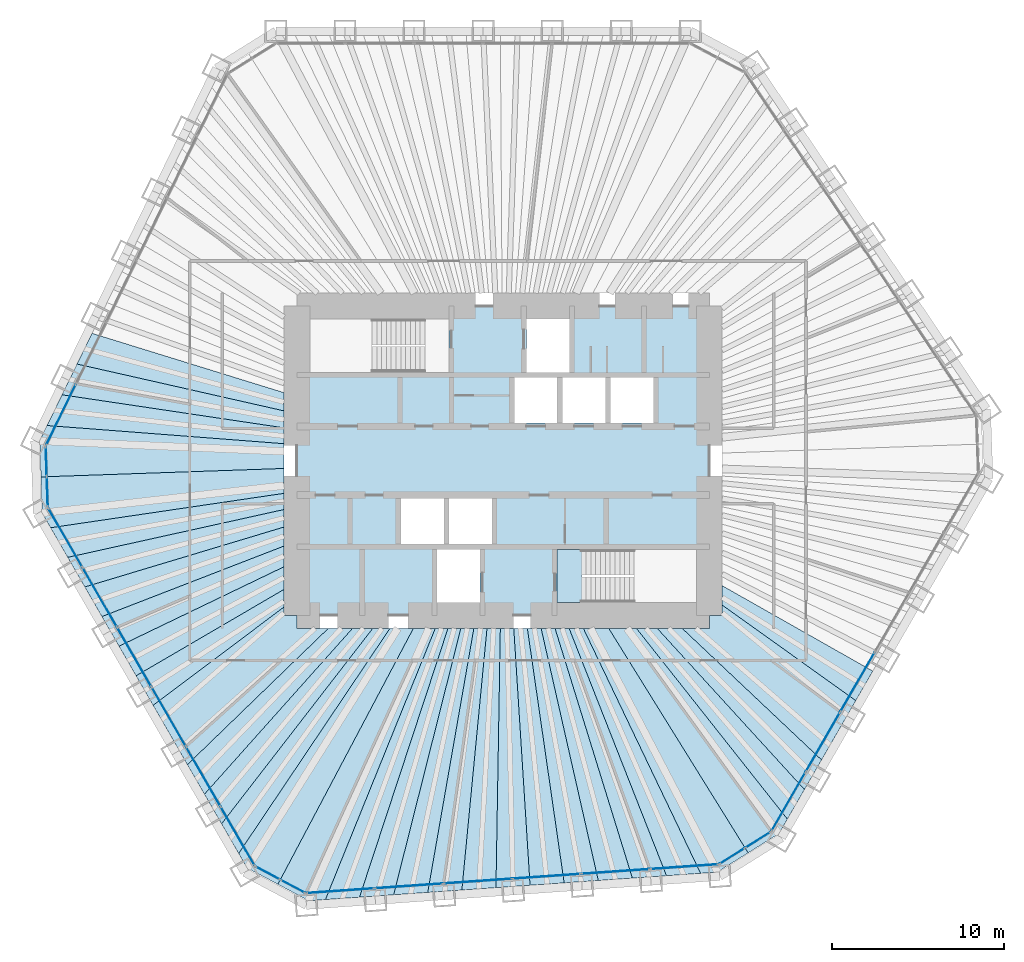
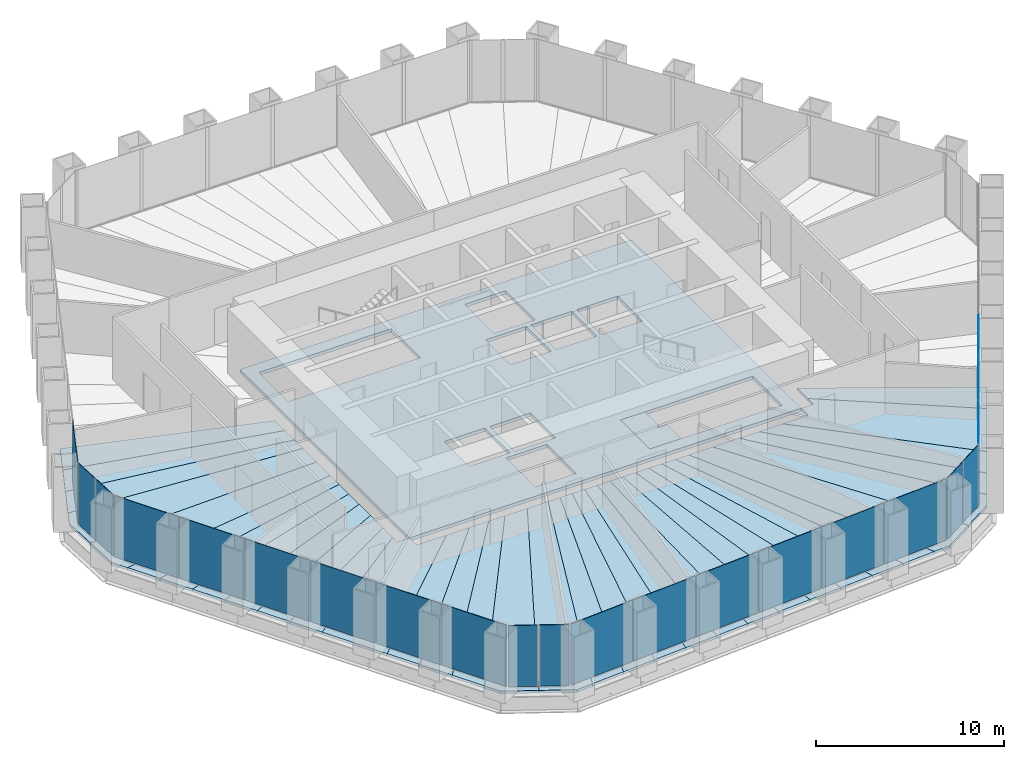
# One storey, part 8 of 13: 36 slabs, 22 plates, 8 elements without a shape of their own.
"""IFC4 building model written with IfcOpenShell, lengths in metres."""

from ifc_helpers import new_model, si_unit, direction, frame, origin, origin_2d, place, context, subcontext, project, spatial, polyline, rectangle, outline, extrude, material, layer, layer_set, type_object, element, aggregate, save


model = new_model("IFC4")

# Units and contexts
model_context = context("Model", 3, precision=1e-05, world=origin(), true_north=direction((0.0, 1.0)))
body_context = subcontext(model_context, "Body", "Model", "MODEL_VIEW")
ifc_project = project(units=[si_unit("LENGTHUNIT", "METRE"), si_unit("AREAUNIT", "SQUARE_METRE"), si_unit("VOLUMEUNIT", "CUBIC_METRE"), si_unit("PLANEANGLEUNIT", "RADIAN"), si_unit("MASSUNIT", "GRAM", prefix="KILO")], contexts=[model_context])

# Site, building, storey
site_placement = place(None, origin())
site = spatial("IfcSite", under=ifc_project, at=site_placement, CompositionType="ELEMENT")
building_placement = place(site_placement, origin())
building = spatial("IfcBuilding", under=site, at=building_placement, Name="Qingtian Harvest Tower", CompositionType="ELEMENT")
storey_placement = place(building_placement, frame((0.0, 0.0, 124.0)))
storey = spatial("IfcBuildingStorey", under=building, at=storey_placement, Name="L25", CompositionType="ELEMENT", Elevation=124.0)

# Slabs
ifc_material_1 = material(Name="Concrete fc' 35 MPa", Category="concrete")
ifc_layer_1 = layer(ifc_material_1, 0.169921875)
ifc_layer_set_1 = layer_set([ifc_layer_1], Name="Composite floor slab FS17 170")
slab_type_1 = type_object("IfcSlabType", Name="Composite floor slab FS17 170", PredefinedType="FLOOR", material=ifc_layer_set_1)
slab_1_placement = place(storey_placement, frame((0.0, 0.0, -0.169921875)))
element("IfcSlab", 1, at=slab_1_placement, inside=storey, type_object=slab_type_1, Name="Floor slab L25 panel D01", PredefinedType="FLOOR", context=body_context, shape_type="SweptSolid", body=[
    extrude(outline(polyline([(-26.8935546875, -0.939208984375), (-12.75, -0.447998046875), (-12.75, -1.89599609375), (-26.333984375, -3.8984375), (-26.819580078125, -3.056884765625), (-26.8935546875, -0.939208984375)])), origin(), (0.0, 0.0, 1.0), 0.169921875),
])
slab_2_placement = place(storey_placement, frame((0.0, 0.0, -0.169921875)))
element("IfcSlab", 2, at=slab_2_placement, inside=storey, type_object=slab_type_1, Name="Floor slab L25 panel D02", PredefinedType="FLOOR", context=body_context, shape_type="SweptSolid", body=[
    extrude(outline(polyline([(-12.75, -2.838134765625), (-25.3388671875, -5.62158203125), (-26.333984375, -3.8984375), (-12.75, -1.89599609375), (-12.75, -2.838134765625)])), origin(), (0.0, 0.0, 1.0), 0.169921875),
])
slab_3_placement = place(storey_placement, frame((0.0, 0.0, -0.169921875)))
element("IfcSlab", 3, at=slab_3_placement, inside=storey, type_object=slab_type_1, Name="Floor slab L25 panel D03", PredefinedType="FLOOR", context=body_context, shape_type="SweptSolid", body=[
    extrude(outline(polyline([(-12.75, -3.857666015625), (-24.343994140625, -7.344970703125), (-25.3388671875, -5.62158203125), (-12.75, -2.838134765625), (-12.75, -3.857666015625)])), origin(), (0.0, 0.0, 1.0), 0.169921875),
])
slab_4_placement = place(storey_placement, frame((0.0, 0.0, -0.169921875)))
element("IfcSlab", 4, at=slab_4_placement, inside=storey, type_object=slab_type_1, Name="Floor slab L25 panel D04", PredefinedType="FLOOR", context=body_context, shape_type="SweptSolid", body=[
    extrude(outline(polyline([(-12.75, -4.9638671875), (-23.34912109375, -9.068115234375), (-24.343994140625, -7.344970703125), (-12.75, -3.857666015625), (-12.75, -4.9638671875)])), origin(), (0.0, 0.0, 1.0), 0.169921875),
])
slab_5_placement = place(storey_placement, frame((0.0, 0.0, -0.169921875)))
element("IfcSlab", 5, at=slab_5_placement, inside=storey, type_object=slab_type_1, Name="Floor slab L25 panel D05", PredefinedType="FLOOR", context=body_context, shape_type="SweptSolid", body=[
    extrude(outline(polyline([(-12.75, -6.1689453125), (-22.354248046875, -10.79150390625), (-23.34912109375, -9.068115234375), (-12.75, -4.9638671875), (-12.75, -6.1689453125)])), origin(), (0.0, 0.0, 1.0), 0.169921875),
])
slab_6_placement = place(storey_placement, frame((0.0, 0.0, -0.169921875)))
element("IfcSlab", 6, at=slab_6_placement, inside=storey, type_object=slab_type_1, Name="Floor slab L25 panel D06", PredefinedType="FLOOR", context=body_context, shape_type="SweptSolid", body=[
    extrude(outline(polyline([(-12.75, -7.486328125), (-21.359130859375, -12.5146484375), (-22.354248046875, -10.79150390625), (-12.75, -6.1689453125), (-12.75, -7.486328125)])), origin(), (0.0, 0.0, 1.0), 0.169921875),
])
slab_7_placement = place(storey_placement, frame((0.0, 0.0, -0.169921875)))
element("IfcSlab", 7, at=slab_7_placement, inside=storey, type_object=slab_type_1, Name="Floor slab L25 panel D07", PredefinedType="FLOOR", context=body_context, shape_type="SweptSolid", body=[
    extrude(outline(polyline([(-12.75, -8.512451171875), (-20.36865234375, -14.23046875), (-21.359130859375, -12.5146484375), (-12.75, -7.486328125), (-12.75, -8.512451171875)])), origin(), (0.0, 0.0, 1.0), 0.169921875),
])
slab_8_placement = place(storey_placement, frame((0.0, 0.0, -0.169921875)))
element("IfcSlab", 8, at=slab_8_placement, inside=storey, type_object=slab_type_1, Name="Floor slab L25 panel D09", PredefinedType="FLOOR", context=body_context, shape_type="SweptSolid", body=[
    extrude(outline(polyline([(-18.375, -17.683837890625), (-20.36865234375, -14.23046875), (-12.75, -8.512451171875), (-12.75, -9.0), (-12.0, -9.0), (-12.0, -9.75), (-10.168212890625, -9.75), (-18.375, -17.683837890625)])), origin(), (0.0, 0.0, 1.0), 0.169921875),
])
slab_9_placement = place(storey_placement, frame((0.0, 0.0, -0.169921875)))
element("IfcSlab", 9, at=slab_9_placement, inside=storey, type_object=slab_type_1, Name="Floor slab L25 panel D10", PredefinedType="FLOOR", context=body_context, shape_type="SweptSolid", body=[
    extrude(outline(polyline([(-8.759521484375, -9.75), (-17.3798828125, -19.4072265625), (-18.375, -17.683837890625), (-10.168212890625, -9.75), (-8.759521484375, -9.75)])), origin(), (0.0, 0.0, 1.0), 0.169921875),
])
slab_10_placement = place(storey_placement, frame((0.0, 0.0, -0.169921875)))
element("IfcSlab", 10, at=slab_10_placement, inside=storey, type_object=slab_type_1, Name="Floor slab L25 panel D11", PredefinedType="FLOOR", context=body_context, shape_type="SweptSolid", body=[
    extrude(outline(polyline([(-7.58203125, -9.75), (-16.385009765625, -21.13037109375), (-17.3798828125, -19.4072265625), (-8.759521484375, -9.75), (-7.58203125, -9.75)])), origin(), (0.0, 0.0, 1.0), 0.169921875),
])
slab_11_placement = place(storey_placement, frame((0.0, 0.0, -0.169921875)))
element("IfcSlab", 11, at=slab_11_placement, inside=storey, type_object=slab_type_1, Name="Floor slab L25 panel D12", PredefinedType="FLOOR", context=body_context, shape_type="SweptSolid", body=[
    extrude(outline(polyline([(-6.5830078125, -9.75), (-15.389892578125, -22.853759765625), (-16.385009765625, -21.13037109375), (-7.58203125, -9.75), (-6.5830078125, -9.75)])), origin(), (0.0, 0.0, 1.0), 0.169921875),
])
slab_12_placement = place(storey_placement, frame((0.0, 0.0, -0.169921875)))
element("IfcSlab", 12, at=slab_12_placement, inside=storey, type_object=slab_type_1, Name="Floor slab L25 panel D13", PredefinedType="FLOOR", context=body_context, shape_type="SweptSolid", body=[
    extrude(outline(polyline([(-6.5830078125, -9.75), (-5.21875, -9.75), (-13.107421875, -24.650634765625), (-14.904052734375, -23.6953125), (-15.389892578125, -22.853759765625), (-6.5830078125, -9.75)])), origin(), (0.0, 0.0, 1.0), 0.169921875),
])
slab_13_placement = place(storey_placement, frame((0.0, 0.0, -0.169921875)))
element("IfcSlab", 13, at=slab_13_placement, inside=storey, type_object=slab_type_1, Name="Floor slab L25 panel D14", PredefinedType="FLOOR", context=body_context, shape_type="SweptSolid", body=[
    extrude(outline(polyline([(-5.21875, -9.75), (-3.947021484375, -9.75), (-10.3408203125, -25.53857421875), (-11.31005859375, -25.606201171875), (-13.107421875, -24.650634765625), (-5.21875, -9.75)])), origin(), (0.0, 0.0, 1.0), 0.169921875),
])
slab_14_placement = place(storey_placement, frame((0.0, 0.0, -0.169921875)))
element("IfcSlab", 14, at=slab_14_placement, inside=storey, type_object=slab_type_1, Name="Floor slab L25 panel D15", PredefinedType="FLOOR", context=body_context, shape_type="SweptSolid", body=[
    extrude(outline(polyline([(-3.20654296875, -9.75), (-8.35595703125, -25.399658203125), (-10.3408203125, -25.53857421875), (-3.947021484375, -9.75), (-3.20654296875, -9.75)])), origin(), (0.0, 0.0, 1.0), 0.169921875),
])
slab_15_placement = place(storey_placement, frame((0.0, 0.0, -0.169921875)))
element("IfcSlab", 15, at=slab_15_placement, inside=storey, type_object=slab_type_1, Name="Floor slab L25 panel D16", PredefinedType="FLOOR", context=body_context, shape_type="SweptSolid", body=[
    extrude(outline(polyline([(-2.4580078125, -9.75), (-6.370849609375, -25.260986328125), (-8.35595703125, -25.399658203125), (-3.20654296875, -9.75), (-2.4580078125, -9.75)])), origin(), (0.0, 0.0, 1.0), 0.169921875),
])
slab_16_placement = place(storey_placement, frame((0.0, 0.0, -0.169921875)))
element("IfcSlab", 16, at=slab_16_placement, inside=storey, type_object=slab_type_1, Name="Floor slab L25 panel D17", PredefinedType="FLOOR", context=body_context, shape_type="SweptSolid", body=[
    extrude(outline(polyline([(-1.701171875, -9.75), (-4.385986328125, -25.1220703125), (-6.370849609375, -25.260986328125), (-2.4580078125, -9.75), (-1.701171875, -9.75)])), origin(), (0.0, 0.0, 1.0), 0.169921875),
])
slab_17_placement = place(storey_placement, frame((0.0, 0.0, -0.169921875)))
element("IfcSlab", 17, at=slab_17_placement, inside=storey, type_object=slab_type_1, Name="Floor slab L25 panel D18", PredefinedType="FLOOR", context=body_context, shape_type="SweptSolid", body=[
    extrude(outline(polyline([(-0.93603515625, -9.75), (-2.40087890625, -24.9833984375), (-4.385986328125, -25.1220703125), (-1.701171875, -9.75), (-0.93603515625, -9.75)])), origin(), (0.0, 0.0, 1.0), 0.169921875),
])
slab_18_placement = place(storey_placement, frame((0.0, 0.0, -0.169921875)))
element("IfcSlab", 18, at=slab_18_placement, inside=storey, type_object=slab_type_1, Name="Floor slab L25 panel D19", PredefinedType="FLOOR", context=body_context, shape_type="SweptSolid", body=[
    extrude(outline(polyline([(-0.162109375, -9.75), (-0.416015625, -24.844482421875), (-2.40087890625, -24.9833984375), (-0.93603515625, -9.75), (-0.162109375, -9.75)])), origin(), (0.0, 0.0, 1.0), 0.169921875),
])
slab_19_placement = place(storey_placement, frame((0.0, 0.0, -0.169921875)))
element("IfcSlab", 19, at=slab_19_placement, inside=storey, type_object=slab_type_1, Name="Floor slab L25 panel D20", PredefinedType="FLOOR", context=body_context, shape_type="SweptSolid", body=[
    extrude(outline(polyline([(0.620361328125, -9.75), (1.569091796875, -24.705810546875), (-0.416015625, -24.844482421875), (-0.162109375, -9.75), (0.620361328125, -9.75)])), origin(), (0.0, 0.0, 1.0), 0.169921875),
])
slab_20_placement = place(storey_placement, frame((0.0, 0.0, -0.169921875)))
element("IfcSlab", 20, at=slab_20_placement, inside=storey, type_object=slab_type_1, Name="Floor slab L25 panel D21", PredefinedType="FLOOR", context=body_context, shape_type="SweptSolid", body=[
    extrude(outline(polyline([(1.41162109375, -9.75), (3.553955078125, -24.56689453125), (1.569091796875, -24.705810546875), (0.620361328125, -9.75), (1.41162109375, -9.75)])), origin(), (0.0, 0.0, 1.0), 0.169921875),
])
slab_21_placement = place(storey_placement, frame((0.0, 0.0, -0.169921875)))
element("IfcSlab", 21, at=slab_21_placement, inside=storey, type_object=slab_type_1, Name="Floor slab L25 panel D22", PredefinedType="FLOOR", context=body_context, shape_type="SweptSolid", body=[
    extrude(outline(polyline([(2.2119140625, -9.75), (5.5390625, -24.42822265625), (3.553955078125, -24.56689453125), (1.41162109375, -9.75), (2.2119140625, -9.75)])), origin(), (0.0, 0.0, 1.0), 0.169921875),
])
slab_22_placement = place(storey_placement, frame((0.0, 0.0, -0.169921875)))
element("IfcSlab", 22, at=slab_22_placement, inside=storey, type_object=slab_type_1, Name="Floor slab L25 panel D23", PredefinedType="FLOOR", context=body_context, shape_type="SweptSolid", body=[
    extrude(outline(polyline([(3.021484375, -9.75), (7.524169921875, -24.289306640625), (5.5390625, -24.42822265625), (2.2119140625, -9.75), (3.021484375, -9.75)])), origin(), (0.0, 0.0, 1.0), 0.169921875),
])
slab_23_placement = place(storey_placement, frame((0.0, 0.0, -0.169921875)))
element("IfcSlab", 23, at=slab_23_placement, inside=storey, type_object=slab_type_1, Name="Floor slab L25 panel D24", PredefinedType="FLOOR", context=body_context, shape_type="SweptSolid", body=[
    extrude(outline(polyline([(3.840087890625, -9.75), (9.509033203125, -24.150390625), (7.524169921875, -24.289306640625), (3.021484375, -9.75), (3.840087890625, -9.75)])), origin(), (0.0, 0.0, 1.0), 0.169921875),
])
slab_24_placement = place(storey_placement, frame((0.0, 0.0, -0.169921875)))
element("IfcSlab", 24, at=slab_24_placement, inside=storey, type_object=slab_type_1, Name="Floor slab L25 panel D25", PredefinedType="FLOOR", context=body_context, shape_type="SweptSolid", body=[
    extrude(outline(polyline([(4.66845703125, -9.75), (11.494140625, -24.01171875), (9.509033203125, -24.150390625), (3.840087890625, -9.75), (4.66845703125, -9.75)])), origin(), (0.0, 0.0, 1.0), 0.169921875),
])
slab_25_placement = place(storey_placement, frame((0.0, 0.0, -0.169921875)))
element("IfcSlab", 25, at=slab_25_placement, inside=storey, type_object=slab_type_1, Name="Floor slab L25 panel D26", PredefinedType="FLOOR", context=body_context, shape_type="SweptSolid", body=[
    extrude(outline(polyline([(4.66845703125, -9.75), (6.14404296875, -9.75), (14.2607421875, -22.820556640625), (12.463134765625, -23.94384765625), (11.494140625, -24.01171875), (4.66845703125, -9.75)])), origin(), (0.0, 0.0, 1.0), 0.169921875),
])
slab_26_placement = place(storey_placement, frame((0.0, 0.0, -0.169921875)))
element("IfcSlab", 26, at=slab_26_placement, inside=storey, type_object=slab_type_1, Name="Floor slab L25 panel D27", PredefinedType="FLOOR", context=body_context, shape_type="SweptSolid", body=[
    extrude(outline(polyline([(6.14404296875, -9.75), (7.756103515625, -9.75), (16.543212890625, -20.8564453125), (16.05712890625, -21.697998046875), (14.2607421875, -22.820556640625), (6.14404296875, -9.75)])), origin(), (0.0, 0.0, 1.0), 0.169921875),
])
slab_27_placement = place(storey_placement, frame((0.0, 0.0, -0.169921875)))
element("IfcSlab", 27, at=slab_27_placement, inside=storey, type_object=slab_type_1, Name="Floor slab L25 panel D28", PredefinedType="FLOOR", context=body_context, shape_type="SweptSolid", body=[
    extrude(outline(polyline([(8.966552734375, -9.75), (17.5380859375, -19.133056640625), (16.543212890625, -20.8564453125), (7.756103515625, -9.75), (8.966552734375, -9.75)])), origin(), (0.0, 0.0, 1.0), 0.169921875),
])
slab_28_placement = place(storey_placement, frame((0.0, 0.0, -0.169921875)))
element("IfcSlab", 28, at=slab_28_placement, inside=storey, type_object=slab_type_1, Name="Floor slab L25 panel D29", PredefinedType="FLOOR", context=body_context, shape_type="SweptSolid", body=[
    extrude(outline(polyline([(10.41796875, -9.75), (18.532958984375, -17.40966796875), (17.5380859375, -19.133056640625), (8.966552734375, -9.75), (10.41796875, -9.75)])), origin(), (0.0, 0.0, 1.0), 0.169921875),
])
slab_29_placement = place(storey_placement, frame((0.0, 0.0, -0.169921875)))
element("IfcSlab", 29, at=slab_29_placement, inside=storey, type_object=slab_type_1, Name="Floor slab L25 panel D31", PredefinedType="FLOOR", context=body_context, shape_type="SweptSolid", body=[
    extrude(outline(polyline([(12.75, -8.398681640625), (20.525390625, -13.958740234375), (18.532958984375, -17.40966796875), (10.41796875, -9.75), (12.0, -9.75), (12.0, -9.0), (12.75, -9.0), (12.75, -8.398681640625)])), origin(), (0.0, 0.0, 1.0), 0.169921875),
])
slab_30_placement = place(storey_placement, frame((0.0, 0.0, -0.169921875)))
element("IfcSlab", 30, at=slab_30_placement, inside=storey, type_object=slab_type_1, Name="Floor slab L25 panel D32", PredefinedType="FLOOR", context=body_context, shape_type="SweptSolid", body=[
    extrude(outline(polyline([(12.75, -7.268798828125), (21.517333984375, -12.24072265625), (20.525390625, -13.958740234375), (12.75, -8.398681640625), (12.75, -7.268798828125)])), origin(), (0.0, 0.0, 1.0), 0.169921875),
])
slab_31_placement = place(storey_placement, frame((0.0, 0.0, -0.169921875)))
element("IfcSlab", 31, at=slab_31_placement, inside=storey, type_object=slab_type_1, Name="Floor slab L25 panel D75", PredefinedType="FLOOR", context=body_context, shape_type="SweptSolid", body=[
    extrude(outline(polyline([(-12.75, 2.903076171875), (-24.797119140625, 5.62890625), (-23.9248046875, 7.417236328125), (-12.75, 3.962646484375), (-12.75, 2.903076171875)])), origin(), (0.0, 0.0, 1.0), 0.169921875),
])
slab_32_placement = place(storey_placement, frame((0.0, 0.0, -0.169921875)))
element("IfcSlab", 32, at=slab_32_placement, inside=storey, type_object=slab_type_1, Name="Floor slab L25 panel D76", PredefinedType="FLOOR", context=body_context, shape_type="SweptSolid", body=[
    extrude(outline(polyline([(-12.75, 1.91552734375), (-25.66943359375, 3.84033203125), (-24.797119140625, 5.62890625), (-12.75, 2.903076171875), (-12.75, 1.91552734375)])), origin(), (0.0, 0.0, 1.0), 0.169921875),
])
slab_33_placement = place(storey_placement, frame((0.0, 0.0, -0.169921875)))
element("IfcSlab", 33, at=slab_33_placement, inside=storey, type_object=slab_type_1, Name="Floor slab L25 panel D77", PredefinedType="FLOOR", context=body_context, shape_type="SweptSolid", body=[
    extrude(outline(polyline([(-12.75, 0.992919921875), (-26.541748046875, 2.0517578125), (-25.66943359375, 3.84033203125), (-12.75, 1.91552734375), (-12.75, 0.992919921875)])), origin(), (0.0, 0.0, 1.0), 0.169921875),
])
slab_34_placement = place(storey_placement, frame((0.0, 0.0, -0.169921875)))
element("IfcSlab", 34, at=slab_34_placement, inside=storey, type_object=slab_type_1, Name="Floor slab L25 panel D78", PredefinedType="FLOOR", context=body_context, shape_type="SweptSolid", body=[
    extrude(outline(polyline([(-12.75, 0.992919921875), (-12.75, -0.447998046875), (-26.8935546875, -0.939208984375), (-26.967529296875, 1.1787109375), (-26.541748046875, 2.0517578125), (-12.75, 0.992919921875)])), origin(), (0.0, 0.0, 1.0), 0.169921875),
])
ifc_material_2 = material(Name="Concrete fc' 35 MPa", Category="concrete")
ifc_layer_2 = layer(ifc_material_2, 0.219970703125)
ifc_layer_set_2 = layer_set([ifc_layer_2], Name="Core floor slab CS22 220")
slab_type_2 = type_object("IfcSlabType", Name="Core floor slab CS22 220", PredefinedType="FLOOR", material=ifc_layer_set_2)
slab_35_placement = place(storey_placement, frame((0.0, 0.0, -0.219970703125)))
element("IfcSlab", 35, at=slab_35_placement, inside=storey, type_object=slab_type_2, Name="Core floor slab L25", PredefinedType="FLOOR", context=body_context, shape_type="SweptSolid", body=[
    extrude(outline(polyline([(-12.0, -9.0), (12.0, -9.0), (12.0, 9.0), (-12.0, 9.0), (-12.0, -9.0)]), holes=[polyline([(-11.25, 5.14990234375), (-3.14990234375, 5.14990234375), (-3.14990234375, 8.25), (-11.25, 8.25), (-11.25, 5.14990234375)]), polyline([(3.14990234375, -8.25), (11.25, -8.25), (11.25, -5.14990234375), (3.14990234375, -5.14990234375), (3.14990234375, -8.25)]), polyline([(1.35009765625, 5.14990234375), (3.85009765625, 5.14990234375), (3.85009765625, 8.25), (1.35009765625, 8.25), (1.35009765625, 5.14990234375)]), polyline([(-3.85009765625, -8.25), (-1.35009765625, -8.25), (-1.35009765625, -5.14990234375), (-3.85009765625, -5.14990234375), (-3.85009765625, -8.25)]), polyline([(0.64990234375, 2.199951171875), (3.14990234375, 2.199951171875), (3.14990234375, 4.85009765625), (0.64990234375, 4.85009765625), (0.64990234375, 2.199951171875)]), polyline([(3.449951171875, 2.199951171875), (5.949951171875, 2.199951171875), (5.949951171875, 4.85009765625), (3.449951171875, 4.85009765625), (3.449951171875, 2.199951171875)]), polyline([(6.25, 2.199951171875), (8.75, 2.199951171875), (8.75, 4.85009765625), (6.25, 4.85009765625), (6.25, 2.199951171875)]), polyline([(-5.949951171875, -4.85009765625), (-3.449951171875, -4.85009765625), (-3.449951171875, -2.199951171875), (-5.949951171875, -2.199951171875), (-5.949951171875, -4.85009765625)]), polyline([(-3.14990234375, -4.85009765625), (-0.64990234375, -4.85009765625), (-0.64990234375, -2.199951171875), (-3.14990234375, -2.199951171875), (-3.14990234375, -4.85009765625)])]), origin(), (0.0, 0.0, 1.0), 0.219970703125),
])

# Curtain wall, plates
ifc_material_3 = material(Name="Bronze-anodised aluminium curtain wall", Category="aluminium")
curtain_wall_type = type_object("IfcCurtainWallType", Name="Curtain wall CW4 office", PredefinedType="USERDEFINED", material=ifc_material_3)
curtain_wall_1_placement = place(storey_placement, origin())
curtain_wall_1 = element("IfcCurtainWall", 36, at=curtain_wall_1_placement, inside=storey, type_object=curtain_wall_type, Name="Curtain wall CW4 L25 SE0-5", ObjectType="RECESSED CURTAIN WALL", PredefinedType="USERDEFINED")
ifc_material_4 = material(Name="Bronze-tinted laminated insulating glass", Category="glass")
ifc_layer_3 = layer(ifc_material_4, 0.030029296875)
ifc_layer_set_3 = layer_set([ifc_layer_3], Name="Glazed panel CWP tinted IGU")
plate_type = type_object("IfcPlateType", Name="Glazed panel CWP tinted IGU", PredefinedType="CURTAIN_PANEL", material=ifc_layer_set_3)
plate_1_placement = place(storey_placement, frame((20.621826171875, -12.8818359375, 0.06494140625), z_axis=(0.0, 0.0, 1.0), x_axis=(-0.5, -0.866025403784, 0.0)))
plate_1 = element("IfcPlate", 37, at=plate_1_placement, type_object=plate_type, Name="CW4 panel 4.1", PredefinedType="CURTAIN_PANEL", context=body_context, shape_type="SweptSolid", body=[
    extrude(rectangle(XDim=3.9541015625, YDim=0.030029296875, at=origin_2d()), origin(), (0.0, 0.0, 1.0), 3.965087890625),
])
plate_2_placement = place(storey_placement, frame((18.6123046875, -16.362548828125, 0.06494140625), z_axis=(0.0, 0.0, 1.0), x_axis=(-0.5, -0.866025403784, 0.0)))
plate_2 = element("IfcPlate", 38, at=plate_2_placement, type_object=plate_type, Name="CW4 panel 5.1", PredefinedType="CURTAIN_PANEL", context=body_context, shape_type="SweptSolid", body=[
    extrude(rectangle(XDim=3.9541015625, YDim=0.030029296875, at=origin_2d()), origin(), (0.0, 0.0, 1.0), 3.965087890625),
])
plate_3_placement = place(storey_placement, frame((16.61083984375, -19.8291015625, 0.06494140625), z_axis=(0.0, 0.0, 1.0), x_axis=(-0.5, -0.866025403784, 0.0)))
plate_3 = element("IfcPlate", 39, at=plate_3_placement, type_object=plate_type, Name="CW4 panel 6.1", PredefinedType="CURTAIN_PANEL", context=body_context, shape_type="SweptSolid", body=[
    extrude(rectangle(XDim=3.921630859375, YDim=0.030029296875, at=origin_2d()), origin(), (0.0, 0.0, 1.0), 3.965087890625),
])
aggregate(curtain_wall_1, [plate_1, plate_2, plate_3])

curtain_wall_2_placement = place(storey_placement, origin())
curtain_wall_2 = element("IfcCurtainWall", 40, at=curtain_wall_2_placement, inside=storey, type_object=curtain_wall_type, Name="Curtain wall CW4 L25 SEC", ObjectType="RECESSED CURTAIN WALL", PredefinedType="USERDEFINED")
plate_4_placement = place(storey_placement, frame((14.8251953125, -22.06640625, 0.06494140625), z_axis=(0.0, 0.0, 1.0), x_axis=(-0.848048096156, -0.529919264233, 0.0)))
plate_4 = element("IfcPlate", 41, at=plate_4_placement, type_object=plate_type, Name="CW4 panel 1.1", PredefinedType="CURTAIN_PANEL", context=body_context, shape_type="SweptSolid", body=[
    extrude(rectangle(XDim=1.69287109375, YDim=0.030029296875, at=origin_2d()), origin(), (0.0, 0.0, 1.0), 3.965087890625),
])
plate_5_placement = place(storey_placement, frame((13.334228515625, -22.998046875, 0.06494140625), z_axis=(0.0, 0.0, 1.0), x_axis=(-0.848048096156, -0.529919264233, 0.0)))
plate_5 = element("IfcPlate", 42, at=plate_5_placement, type_object=plate_type, Name="CW4 panel 2.1", PredefinedType="CURTAIN_PANEL", context=body_context, shape_type="SweptSolid", body=[
    extrude(rectangle(XDim=1.69287109375, YDim=0.030029296875, at=origin_2d()), origin(), (0.0, 0.0, 1.0), 3.965087890625),
])
aggregate(curtain_wall_2, [plate_4, plate_5])

curtain_wall_3_placement = place(storey_placement, origin())
curtain_wall_3 = element("IfcCurtainWall", 43, at=curtain_wall_3_placement, inside=storey, type_object=curtain_wall_type, Name="Curtain wall CW4 L25 S0-5", ObjectType="RECESSED CURTAIN WALL", PredefinedType="USERDEFINED")
plate_6_placement = place(storey_placement, frame((10.54052734375, -23.622314453125, 0.06494140625), z_axis=(0.0, 0.0, 1.0), x_axis=(-0.99756405026, -0.069756473744, 0.0)))
plate_6 = element("IfcPlate", 44, at=plate_6_placement, type_object=plate_type, Name="CW4 panel 1.1", PredefinedType="CURTAIN_PANEL", context=body_context, shape_type="SweptSolid", body=[
    extrude(rectangle(XDim=3.921630859375, YDim=0.030029296875, at=origin_2d()), origin(), (0.0, 0.0, 1.0), 3.965087890625),
])
plate_7_placement = place(storey_placement, frame((6.54736328125, -23.901611328125, 0.06494140625), z_axis=(0.0, 0.0, 1.0), x_axis=(-0.99756405026, -0.069756473744, 0.0)))
plate_7 = element("IfcPlate", 45, at=plate_7_placement, type_object=plate_type, Name="CW4 panel 2.1", PredefinedType="CURTAIN_PANEL", context=body_context, shape_type="SweptSolid", body=[
    extrude(rectangle(XDim=3.9541015625, YDim=0.030029296875, at=origin_2d()), origin(), (0.0, 0.0, 1.0), 3.965087890625),
])
plate_8_placement = place(storey_placement, frame((2.5380859375, -24.181884765625, 0.06494140625), z_axis=(0.0, 0.0, 1.0), x_axis=(-0.99756405026, -0.069756473744, 0.0)))
plate_8 = element("IfcPlate", 46, at=plate_8_placement, type_object=plate_type, Name="CW4 panel 3.1", PredefinedType="CURTAIN_PANEL", context=body_context, shape_type="SweptSolid", body=[
    extrude(rectangle(XDim=3.9541015625, YDim=0.030029296875, at=origin_2d()), origin(), (0.0, 0.0, 1.0), 3.965087890625),
])
plate_9_placement = place(storey_placement, frame((-1.47119140625, -24.462158203125, 0.06494140625), z_axis=(0.0, 0.0, 1.0), x_axis=(-0.99756405026, -0.069756473744, 0.0)))
plate_9 = element("IfcPlate", 47, at=plate_9_placement, type_object=plate_type, Name="CW4 panel 4.1", PredefinedType="CURTAIN_PANEL", context=body_context, shape_type="SweptSolid", body=[
    extrude(rectangle(XDim=3.9541015625, YDim=0.030029296875, at=origin_2d()), origin(), (0.0, 0.0, 1.0), 3.965087890625),
])
plate_10_placement = place(storey_placement, frame((-5.48046875, -24.74267578125, 0.06494140625), z_axis=(0.0, 0.0, 1.0), x_axis=(-0.99756405026, -0.069756473744, 0.0)))
plate_10 = element("IfcPlate", 48, at=plate_10_placement, type_object=plate_type, Name="CW4 panel 5.1", PredefinedType="CURTAIN_PANEL", context=body_context, shape_type="SweptSolid", body=[
    extrude(rectangle(XDim=3.9541015625, YDim=0.030029296875, at=origin_2d()), origin(), (0.0, 0.0, 1.0), 3.965087890625),
])
plate_11_placement = place(storey_placement, frame((-9.4736328125, -25.021728515625, 0.06494140625), z_axis=(0.0, 0.0, 1.0), x_axis=(-0.99756405026, -0.069756473744, 0.0)))
plate_11 = element("IfcPlate", 49, at=plate_11_placement, type_object=plate_type, Name="CW4 panel 6.1", PredefinedType="CURTAIN_PANEL", context=body_context, shape_type="SweptSolid", body=[
    extrude(rectangle(XDim=3.921630859375, YDim=0.030029296875, at=origin_2d()), origin(), (0.0, 0.0, 1.0), 3.965087890625),
])
aggregate(curtain_wall_3, [plate_6, plate_7, plate_8, plate_9, plate_10, plate_11])

curtain_wall_4_placement = place(storey_placement, origin())
curtain_wall_4 = element("IfcCurtainWall", 50, at=curtain_wall_4_placement, inside=storey, type_object=curtain_wall_type, Name="Curtain wall CW4 L25 SC", ObjectType="RECESSED CURTAIN WALL", PredefinedType="USERDEFINED")
plate_12_placement = place(storey_placement, frame((-12.24365234375, -24.764892578125, 0.06494140625), z_axis=(0.0, 0.0, 1.0), x_axis=(-0.882947592859, 0.469471562786, 0.0)))
plate_12 = element("IfcPlate", 51, at=plate_12_placement, type_object=plate_type, Name="CW4 panel 1.1", PredefinedType="CURTAIN_PANEL", context=body_context, shape_type="SweptSolid", body=[
    extrude(rectangle(XDim=1.56689453125, YDim=0.030029296875, at=origin_2d()), origin(), (0.0, 0.0, 1.0), 3.965087890625),
])
plate_13_placement = place(storey_placement, frame((-13.684326171875, -23.998779296875, 0.06494140625), z_axis=(0.0, 0.0, 1.0), x_axis=(-0.882947592859, 0.469471562786, 0.0)))
plate_13 = element("IfcPlate", 52, at=plate_13_placement, type_object=plate_type, Name="CW4 panel 2.1", PredefinedType="CURTAIN_PANEL", context=body_context, shape_type="SweptSolid", body=[
    extrude(rectangle(XDim=1.56689453125, YDim=0.030029296875, at=origin_2d()), origin(), (0.0, 0.0, 1.0), 3.965087890625),
])
aggregate(curtain_wall_4, [plate_12, plate_13])

curtain_wall_5_placement = place(storey_placement, origin())
curtain_wall_5 = element("IfcCurtainWall", 53, at=curtain_wall_5_placement, inside=storey, type_object=curtain_wall_type, Name="Curtain wall CW4 L25 SW0-5", ObjectType="RECESSED CURTAIN WALL", PredefinedType="USERDEFINED")
plate_14_placement = place(storey_placement, frame((-15.446533203125, -21.845947265625, 0.06494140625), z_axis=(0.0, 0.0, 1.0), x_axis=(-0.5, 0.866025403784, 0.0)))
plate_14 = element("IfcPlate", 54, at=plate_14_placement, type_object=plate_type, Name="CW4 panel 1.1", PredefinedType="CURTAIN_PANEL", context=body_context, shape_type="SweptSolid", body=[
    extrude(rectangle(XDim=3.921630859375, YDim=0.030029296875, at=origin_2d()), origin(), (0.0, 0.0, 1.0), 3.965087890625),
])
plate_15_placement = place(storey_placement, frame((-17.44775390625, -18.37939453125, 0.06494140625), z_axis=(0.0, 0.0, 1.0), x_axis=(-0.5, 0.866025403784, 0.0)))
plate_15 = element("IfcPlate", 55, at=plate_15_placement, type_object=plate_type, Name="CW4 panel 2.1", PredefinedType="CURTAIN_PANEL", context=body_context, shape_type="SweptSolid", body=[
    extrude(rectangle(XDim=3.9541015625, YDim=0.030029296875, at=origin_2d()), origin(), (0.0, 0.0, 1.0), 3.965087890625),
])
plate_16_placement = place(storey_placement, frame((-19.45751953125, -14.898681640625, 0.06494140625), z_axis=(0.0, 0.0, 1.0), x_axis=(-0.5, 0.866025403784, 0.0)))
plate_16 = element("IfcPlate", 56, at=plate_16_placement, type_object=plate_type, Name="CW4 panel 3.1", PredefinedType="CURTAIN_PANEL", context=body_context, shape_type="SweptSolid", body=[
    extrude(rectangle(XDim=3.9541015625, YDim=0.030029296875, at=origin_2d()), origin(), (0.0, 0.0, 1.0), 3.965087890625),
])
plate_17_placement = place(storey_placement, frame((-21.467041015625, -11.418212890625, 0.06494140625), z_axis=(0.0, 0.0, 1.0), x_axis=(-0.5, 0.866025403784, 0.0)))
plate_17 = element("IfcPlate", 57, at=plate_17_placement, type_object=plate_type, Name="CW4 panel 4.1", PredefinedType="CURTAIN_PANEL", context=body_context, shape_type="SweptSolid", body=[
    extrude(rectangle(XDim=3.9541015625, YDim=0.030029296875, at=origin_2d()), origin(), (0.0, 0.0, 1.0), 3.965087890625),
])
plate_18_placement = place(storey_placement, frame((-23.4765625, -7.9375, 0.06494140625), z_axis=(0.0, 0.0, 1.0), x_axis=(-0.5, 0.866025403784, 0.0)))
plate_18 = element("IfcPlate", 58, at=plate_18_placement, type_object=plate_type, Name="CW4 panel 5.1", PredefinedType="CURTAIN_PANEL", context=body_context, shape_type="SweptSolid", body=[
    extrude(rectangle(XDim=3.9541015625, YDim=0.030029296875, at=origin_2d()), origin(), (0.0, 0.0, 1.0), 3.965087890625),
])
plate_19_placement = place(storey_placement, frame((-25.477783203125, -4.470947265625, 0.06494140625), z_axis=(0.0, 0.0, 1.0), x_axis=(-0.5, 0.866025403784, 0.0)))
plate_19 = element("IfcPlate", 59, at=plate_19_placement, type_object=plate_type, Name="CW4 panel 6.1", PredefinedType="CURTAIN_PANEL", context=body_context, shape_type="SweptSolid", body=[
    extrude(rectangle(XDim=3.921630859375, YDim=0.030029296875, at=origin_2d()), origin(), (0.0, 0.0, 1.0), 3.965087890625),
])
aggregate(curtain_wall_5, [plate_14, plate_15, plate_16, plate_17, plate_18, plate_19])

curtain_wall_6_placement = place(storey_placement, origin())
curtain_wall_6 = element("IfcCurtainWall", 60, at=curtain_wall_6_placement, inside=storey, type_object=curtain_wall_type, Name="Curtain wall CW4 L25 SWC", ObjectType="RECESSED CURTAIN WALL", PredefinedType="USERDEFINED")
plate_20_placement = place(storey_placement, frame((-26.522705078125, -1.8056640625, 0.06494140625), z_axis=(0.0, 0.0, 1.0), x_axis=(-0.034899496703, 0.999390827019, 0.0)))
plate_20 = element("IfcPlate", 61, at=plate_20_placement, type_object=plate_type, Name="CW4 panel 1.1", PredefinedType="CURTAIN_PANEL", context=body_context, shape_type="SweptSolid", body=[
    extrude(rectangle(XDim=1.69287109375, YDim=0.030029296875, at=origin_2d()), origin(), (0.0, 0.0, 1.0), 3.965087890625),
])
plate_21_placement = place(storey_placement, frame((-26.583984375, -0.048828125, 0.06494140625), z_axis=(0.0, 0.0, 1.0), x_axis=(-0.034899496703, 0.999390827019, 0.0)))
plate_21 = element("IfcPlate", 62, at=plate_21_placement, type_object=plate_type, Name="CW4 panel 2.1", PredefinedType="CURTAIN_PANEL", context=body_context, shape_type="SweptSolid", body=[
    extrude(rectangle(XDim=1.69287109375, YDim=0.030029296875, at=origin_2d()), origin(), (0.0, 0.0, 1.0), 3.965087890625),
])
aggregate(curtain_wall_6, [plate_20, plate_21])

# Curtain wall, plate
curtain_wall_7_placement = place(storey_placement, origin())
curtain_wall_7 = element("IfcCurtainWall", 63, at=curtain_wall_7_placement, inside=storey, type_object=curtain_wall_type, Name="Curtain wall CW4 L25 NW0-5", ObjectType="RECESSED CURTAIN WALL", PredefinedType="USERDEFINED")
plate_22_placement = place(storey_placement, frame((-25.727783203125, 2.682861328125, 0.06494140625), z_axis=(0.0, 0.0, 1.0), x_axis=(0.438371146789, 0.898794046299, 0.0)))
plate_22 = element("IfcPlate", 64, at=plate_22_placement, type_object=plate_type, Name="CW4 panel 1.1", PredefinedType="CURTAIN_PANEL", context=body_context, shape_type="SweptSolid", body=[
    extrude(rectangle(XDim=3.921630859375, YDim=0.030029296875, at=origin_2d()), origin(), (0.0, 0.0, 1.0), 3.965087890625),
])
aggregate(curtain_wall_7, [plate_22])

# Stair, slab
ifc_material_5 = material(Name="Concrete fc' 35 MPa", Category="concrete")
stair_type = type_object("IfcStairType", Name="Special stair ST3 4200", PredefinedType="HALF_TURN_STAIR", material=ifc_material_5)
stair_placement = place(storey_placement, origin())
stair = element("IfcStair", 65, at=stair_placement, inside=storey, type_object=stair_type, Name="Special stair S2 L25", PredefinedType="HALF_TURN_STAIR")
ifc_material_6 = material(Name="Concrete fc' 35 MPa", Category="concrete")
ifc_layer_4 = layer(ifc_material_6, 0.199951171875)
ifc_layer_set_4 = layer_set([ifc_layer_4], Name="Stair landing SL2 200")
slab_type_3 = type_object("IfcSlabType", Name="Stair landing SL2 200", PredefinedType="LANDING", material=ifc_layer_set_4)
slab_36_placement = place(storey_placement, frame((0.0, 0.0, -0.199951171875)))
slab_36 = element("IfcSlab", 66, at=slab_36_placement, type_object=slab_type_3, Name="S2 landing 1", PredefinedType="LANDING", context=body_context, shape_type="SweptSolid", body=[
    extrude(outline(polyline([(5.0849609375, -8.25), (3.14990234375, -8.25), (3.14990234375, -5.14990234375), (4.64990234375, -5.14990234375), (4.64990234375, -6.64990234375), (4.550048828125, -6.64990234375), (4.550048828125, -6.75), (5.0849609375, -6.75), (5.0849609375, -8.25)])), origin(), (0.0, 0.0, 1.0), 0.199951171875),
])
aggregate(stair, [slab_36])

save(model, "model.ifc")
